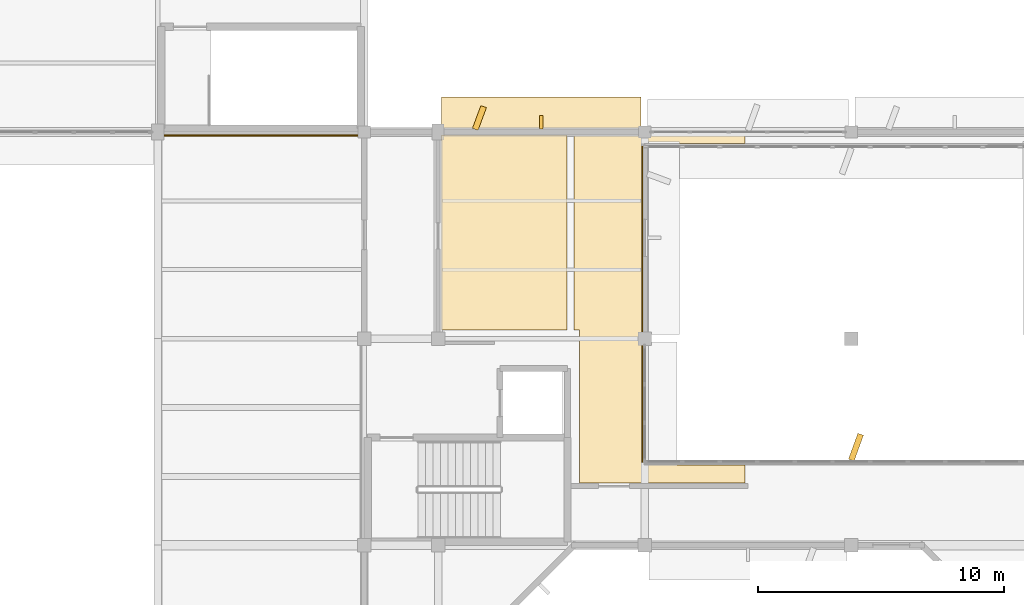
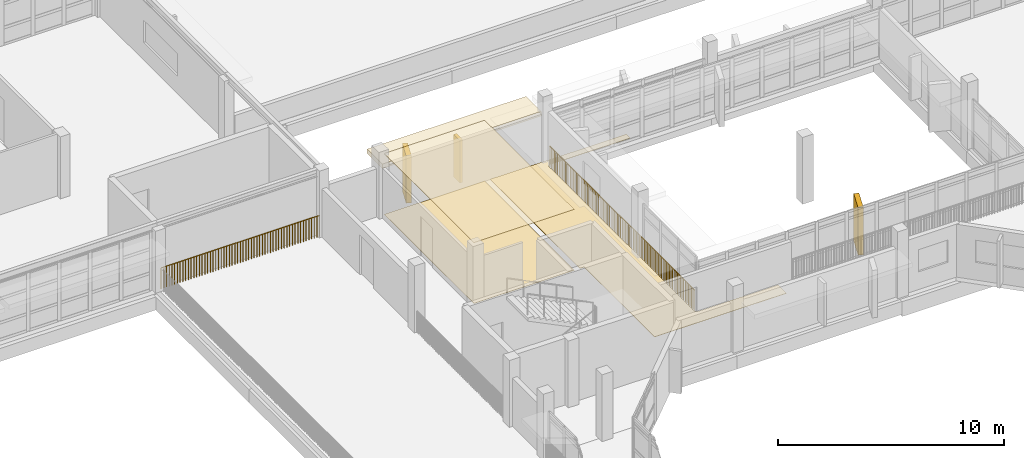
# One storey, part 83 of 92: 6 coverings, 2 railings, 1 shading device.
"""IFC4 building model written with IfcOpenShell, lengths in metres."""

from ifc_helpers import new_model, si_unit, direction, frame, origin, origin_2d, place, context, subcontext, project, spatial, polyline, rectangle, circle, outline, extrude, material, layer, layer_set, type_object, element, save


model = new_model("IFC4")

# Units and contexts
model_context = context("Model", 3, precision=1e-05, world=origin(), true_north=direction((0.0, 1.0)))
body_context = subcontext(model_context, "Body", "Model", "MODEL_VIEW")
ifc_project = project(units=[si_unit("LENGTHUNIT", "METRE"), si_unit("AREAUNIT", "SQUARE_METRE"), si_unit("VOLUMEUNIT", "CUBIC_METRE"), si_unit("PLANEANGLEUNIT", "RADIAN"), si_unit("MASSUNIT", "GRAM", prefix="KILO")], contexts=[model_context])

# Site, building, storey
site_placement = place(None, origin())
site = spatial("IfcSite", under=ifc_project, at=site_placement, CompositionType="ELEMENT")
building_placement = place(site_placement, origin())
building = spatial("IfcBuilding", under=site, at=building_placement, Name="Vanh Quang Courtyard School", CompositionType="ELEMENT")
storey_placement = place(building_placement, frame((0.0, 0.0, 7.800048828125)))
storey = spatial("IfcBuildingStorey", under=building, at=storey_placement, Name="L02", CompositionType="ELEMENT", Elevation=7.800048828125)

# Coverings
ifc_material_1 = material(Name="Perforated mineral-fibre acoustic ceiling board")
ifc_layer_1 = layer(ifc_material_1, 0.02490234375)
ifc_layer_set_1 = layer_set([ifc_layer_1], Name="Perforated mineral-fibre acoustic ceiling board")
covering_type_1 = type_object("IfcCoveringType", Name="COV-CEIL-ACOUSTIC", PredefinedType="CEILING", material=ifc_layer_set_1)
covering_1_placement = place(storey_placement, frame((0.0, 0.0, 3.27490234375)))
element("IfcCovering", 1, at=covering_1_placement, inside=storey, type_object=covering_type_1, Name="Covering CV-CL1 (L02)", PredefinedType="CEILING", context=body_context, shape_type="SweptSolid", body=[
    extrude(outline(polyline([(40.929931640625, 88.06005859375), (40.929931640625, 88.06103515625), (40.93017578125, 88.06201171875), (40.930419921875, 88.06298828125), (40.930908203125, 88.063720703125), (40.93115234375, 88.064697265625), (40.931640625, 88.065673828125), (40.932373046875, 88.06640625), (40.932861328125, 88.067138671875), (40.93359375, 88.067626953125), (40.934326171875, 88.068359375), (40.935302734375, 88.06884765625), (40.936279296875, 88.069091796875), (40.93701171875, 88.069580078125), (40.93798828125, 88.06982421875), (40.93896484375, 88.070068359375), (40.93994140625, 88.070068359375), (46.0400390625, 88.070068359375), (46.041015625, 88.070068359375), (46.0419921875, 88.06982421875), (46.04296875, 88.069580078125), (46.043701171875, 88.069091796875), (46.044677734375, 88.06884765625), (46.045654296875, 88.068359375), (46.04638671875, 88.067626953125), (46.047119140625, 88.067138671875), (46.047607421875, 88.06640625), (46.04833984375, 88.065673828125), (46.048828125, 88.064697265625), (46.04931640625, 88.063720703125), (46.049560546875, 88.06298828125), (46.0498046875, 88.06201171875), (46.050048828125, 88.06103515625), (46.050048828125, 88.06005859375), (46.050048828125, 80.14990234375), (40.929931640625, 80.14990234375), (40.929931640625, 88.06005859375)])), origin(), (0.0, 0.0, 1.0), 0.025146484375),
])
ifc_material_2 = material(Name="Polished cementitious terrazzo tile", Category="concrete")
ifc_layer_2 = layer(ifc_material_2, 0.02001953125)
ifc_layer_set_2 = layer_set([ifc_layer_2], Name="Polished cementitious terrazzo tile")
covering_type_2 = type_object("IfcCoveringType", Name="COV-FLR-TERRAZZO", PredefinedType="FLOORING", material=ifc_layer_set_2)
covering_2_placement = place(storey_placement, origin())
element("IfcCovering", 2, at=covering_2_placement, inside=storey, type_object=covering_type_2, Name="Covering CV-FL1 (L02)", PredefinedType="FLOORING", context=body_context, shape_type="SweptSolid", body=[
    extrude(outline(polyline([(53.27001953125, 87.739990234375), (53.27001953125, 87.739013671875), (53.269775390625, 87.738037109375), (53.26953125, 87.737060546875), (53.269287109375, 87.736083984375), (53.268798828125, 87.7353515625), (53.268310546875, 87.734375), (53.267578125, 87.733642578125), (53.26708984375, 87.73291015625), (53.266357421875, 87.732421875), (53.265625, 87.731689453125), (53.2646484375, 87.731201171875), (53.263916015625, 87.730712890625), (53.262939453125, 87.73046875), (53.261962890625, 87.730224609375), (53.260986328125, 87.72998046875), (53.260009765625, 87.72998046875), (49.200927734375, 87.72998046875), (49.150390625, 87.719970703125), (49.108154296875, 87.69189453125), (49.080078125, 87.649658203125), (49.070068359375, 87.59912109375), (49.070068359375, 74.80078125), (49.07568359375, 74.7626953125), (49.099853515625, 74.71728515625), (49.127685546875, 74.69189453125), (49.162353515625, 74.67578125), (49.20068359375, 74.669921875), (53.260009765625, 74.669921875), (53.260986328125, 74.669921875), (53.261962890625, 74.669921875), (53.262939453125, 74.669677734375), (53.263916015625, 74.669189453125), (53.2646484375, 74.668701171875), (53.265625, 74.668212890625), (53.266357421875, 74.667724609375), (53.26708984375, 74.6669921875), (53.267578125, 74.666259765625), (53.268310546875, 74.66552734375), (53.268798828125, 74.664794921875), (53.269287109375, 74.663818359375), (53.26953125, 74.662841796875), (53.269775390625, 74.662109375), (53.27001953125, 74.660888671875), (53.27001953125, 74.659912109375), (53.27001953125, 73.93994140625), (53.27001953125, 73.93896484375), (53.269775390625, 73.93798828125), (53.26953125, 73.93701171875), (53.269287109375, 73.936279296875), (53.268798828125, 73.935302734375), (53.268310546875, 73.934326171875), (53.267578125, 73.93359375), (53.26708984375, 73.932861328125), (53.266357421875, 73.932373046875), (53.265625, 73.931640625), (53.2646484375, 73.93115234375), (53.263916015625, 73.930908203125), (53.262939453125, 73.930419921875), (53.261962890625, 73.93017578125), (53.260986328125, 73.929931640625), (53.260009765625, 73.929931640625), (46.550048828125, 73.929931640625), (46.550048828125, 80.14990234375), (46.330078125, 80.14990234375), (46.330078125, 88.06005859375), (46.330078125, 88.06103515625), (46.330078125, 88.06201171875), (46.330322265625, 88.06298828125), (46.330810546875, 88.063720703125), (46.331298828125, 88.064697265625), (46.331787109375, 88.065673828125), (46.332275390625, 88.06640625), (46.3330078125, 88.067138671875), (46.333740234375, 88.067626953125), (46.33447265625, 88.068359375), (46.335205078125, 88.06884765625), (46.336181640625, 88.069091796875), (46.337158203125, 88.069580078125), (46.337890625, 88.06982421875), (46.339111328125, 88.070068359375), (46.340087890625, 88.070068359375), (53.260009765625, 88.070068359375), (53.260986328125, 88.070068359375), (53.261962890625, 88.06982421875), (53.262939453125, 88.069580078125), (53.263916015625, 88.069091796875), (53.2646484375, 88.06884765625), (53.265625, 88.068359375), (53.266357421875, 88.067626953125), (53.26708984375, 88.067138671875), (53.267578125, 88.06640625), (53.268310546875, 88.065673828125), (53.268798828125, 88.064697265625), (53.269287109375, 88.063720703125), (53.26953125, 88.06298828125), (53.269775390625, 88.06201171875), (53.27001953125, 88.06103515625), (53.27001953125, 88.06005859375), (53.27001953125, 87.739990234375)])), origin(), (0.0, 0.0, 1.0), 0.02001953125),
])
covering_3_placement = place(storey_placement, origin())
element("IfcCovering", 3, at=covering_3_placement, inside=storey, type_object=covering_type_2, Name="Covering CV-FL1 (L02)", PredefinedType="FLOORING", context=body_context, shape_type="SweptSolid", body=[
    extrude(outline(polyline([(40.929931640625, 88.06005859375), (40.929931640625, 88.06103515625), (40.93017578125, 88.06201171875), (40.930419921875, 88.06298828125), (40.930908203125, 88.063720703125), (40.93115234375, 88.064697265625), (40.931640625, 88.065673828125), (40.932373046875, 88.06640625), (40.932861328125, 88.067138671875), (40.93359375, 88.067626953125), (40.934326171875, 88.068359375), (40.935302734375, 88.06884765625), (40.936279296875, 88.069091796875), (40.93701171875, 88.069580078125), (40.93798828125, 88.06982421875), (40.93896484375, 88.070068359375), (40.93994140625, 88.070068359375), (46.0400390625, 88.070068359375), (46.041015625, 88.070068359375), (46.0419921875, 88.06982421875), (46.04296875, 88.069580078125), (46.043701171875, 88.069091796875), (46.044677734375, 88.06884765625), (46.045654296875, 88.068359375), (46.04638671875, 88.067626953125), (46.047119140625, 88.067138671875), (46.047607421875, 88.06640625), (46.04833984375, 88.065673828125), (46.048828125, 88.064697265625), (46.04931640625, 88.063720703125), (46.049560546875, 88.06298828125), (46.0498046875, 88.06201171875), (46.050048828125, 88.06103515625), (46.050048828125, 88.06005859375), (46.050048828125, 80.14990234375), (40.929931640625, 80.14990234375), (40.929931640625, 88.06005859375)])), origin(), (0.0, 0.0, 1.0), 0.02001953125),
])
ifc_material_3 = material(Name="Board-marked precast concrete C40/50", Category="concrete")
ifc_layer_3 = layer(ifc_material_3, 0.239990234375)
ifc_layer_set_3 = layer_set([ifc_layer_3], Name="Board-marked precast concrete C40/50")
covering_type_3 = type_object("IfcCoveringType", Name="COV-HOOD-CONC", PredefinedType="CLADDING", material=ifc_layer_set_3)
covering_4_placement = place(storey_placement, frame((45.0, 88.93994140625, 2.35986328125), z_axis=(0.0, 0.0, 1.0), x_axis=(1.0, 0.0, 0.0)))
element("IfcCovering", 4, at=covering_4_placement, inside=storey, type_object=covering_type_3, Name="Covering CH-01 (L02)", PredefinedType="CLADDING", context=body_context, shape_type="SweptSolid", body=[
    extrude(rectangle(XDim=8.10400390625, YDim=1.35009765625, at=origin_2d()), origin(), (0.0, 0.0, 1.0), 0.239990234375),
])
covering_5_placement = place(storey_placement, frame((42.482666015625, 88.77001953125, 0.0), z_axis=(0.0, 0.0, 1.0), x_axis=(0.346608245445, 0.938009980858, 0.0)))
element("IfcCovering", 5, at=covering_5_placement, inside=storey, type_object=covering_type_3, Name="Covering CH-01 (L02)", PredefinedType="CLADDING", context=body_context, shape_type="SweptSolid", body=[
    extrude(rectangle(XDim=0.980712890625, YDim=0.239990234375, at=origin_2d()), origin(), (0.0, 0.0, 1.0), 2.56005859375),
])
covering_6_placement = place(storey_placement, frame((57.7900390625, 75.385009765625, 0.0), z_axis=(0.0, 0.0, 1.0), x_axis=(0.340379550213, 0.94028812701, 0.0)))
element("IfcCovering", 6, at=covering_6_placement, inside=storey, type_object=covering_type_3, Name="Covering CH-01 (L02)", PredefinedType="CLADDING", context=body_context, shape_type="SweptSolid", body=[
    extrude(rectangle(XDim=1.11669921875, YDim=0.239990234375, at=origin_2d()), origin(), (0.0, 0.0, 1.0), 2.56005859375),
])

# Railings
ifc_material_4 = material(Name="Galvanised painted steel EN 10025-2 S355J2", Category="steel")
railing_type = type_object("IfcRailingType", Name="RAIL-GUARD-1150", PredefinedType="BALUSTRADE", material=ifc_material_4)
railing_1_placement = place(storey_placement, frame((29.5400390625, 88.06005859375, 0.0)))
element("IfcRailing", 7, at=railing_1_placement, inside=storey, type_object=railing_type, Name="Railing GR-01 (L02)", PredefinedType="BALUSTRADE", context=body_context, shape_type="SweptSolid", body=[
    extrude(circle(Radius=0.02392578125, at=origin_2d()), frame((0.0, 0.0, 1.1259765625), z_axis=(1.0, 0.0, 0.0), x_axis=(0.0, 1.0, 0.0)), (0.0, 0.0, 1.0), 8.091796875),
    extrude(circle(Radius=0.02099609375, at=origin_2d()), origin(), (0.0, 0.0, 1.0), 1.101806640625),
    extrude(circle(Radius=0.02099609375, at=origin_2d()), frame((0.139404296875, 0.0, 0.0)), (0.0, 0.0, 1.0), 1.101806640625),
    extrude(circle(Radius=0.02099609375, at=origin_2d()), frame((0.279052734375, 0.0, 0.0)), (0.0, 0.0, 1.0), 1.101806640625),
    extrude(circle(Radius=0.02099609375, at=origin_2d()), frame((0.41845703125, 0.0, 0.0)), (0.0, 0.0, 1.0), 1.101806640625),
    extrude(circle(Radius=0.02099609375, at=origin_2d()), frame((0.55810546875, 0.0, 0.0)), (0.0, 0.0, 1.0), 1.101806640625),
    extrude(circle(Radius=0.02099609375, at=origin_2d()), frame((0.697509765625, 0.0, 0.0)), (0.0, 0.0, 1.0), 1.101806640625),
    extrude(circle(Radius=0.02099609375, at=origin_2d()), frame((0.837158203125, 0.0, 0.0)), (0.0, 0.0, 1.0), 1.101806640625),
    extrude(circle(Radius=0.02099609375, at=origin_2d()), frame((0.9765625, 0.0, 0.0)), (0.0, 0.0, 1.0), 1.101806640625),
    extrude(circle(Radius=0.02099609375, at=origin_2d()), frame((1.1162109375, 0.0, 0.0)), (0.0, 0.0, 1.0), 1.101806640625),
    extrude(circle(Radius=0.02099609375, at=origin_2d()), frame((1.255615234375, 0.0, 0.0)), (0.0, 0.0, 1.0), 1.101806640625),
    extrude(circle(Radius=0.02099609375, at=origin_2d()), frame((1.39501953125, 0.0, 0.0)), (0.0, 0.0, 1.0), 1.101806640625),
    extrude(circle(Radius=0.02099609375, at=origin_2d()), frame((1.53466796875, 0.0, 0.0)), (0.0, 0.0, 1.0), 1.101806640625),
    extrude(circle(Radius=0.02099609375, at=origin_2d()), frame((1.674072265625, 0.0, 0.0)), (0.0, 0.0, 1.0), 1.101806640625),
    extrude(circle(Radius=0.02099609375, at=origin_2d()), frame((1.813720703125, 0.0, 0.0)), (0.0, 0.0, 1.0), 1.101806640625),
    extrude(circle(Radius=0.02099609375, at=origin_2d()), frame((1.953125, 0.0, 0.0)), (0.0, 0.0, 1.0), 1.101806640625),
    extrude(circle(Radius=0.02099609375, at=origin_2d()), frame((2.0927734375, 0.0, 0.0)), (0.0, 0.0, 1.0), 1.101806640625),
    extrude(circle(Radius=0.02099609375, at=origin_2d()), frame((2.232177734375, 0.0, 0.0)), (0.0, 0.0, 1.0), 1.101806640625),
    extrude(circle(Radius=0.02099609375, at=origin_2d()), frame((2.371826171875, 0.0, 0.0)), (0.0, 0.0, 1.0), 1.101806640625),
    extrude(circle(Radius=0.02099609375, at=origin_2d()), frame((2.51123046875, 0.0, 0.0)), (0.0, 0.0, 1.0), 1.101806640625),
    extrude(circle(Radius=0.02099609375, at=origin_2d()), frame((2.65087890625, 0.0, 0.0)), (0.0, 0.0, 1.0), 1.101806640625),
    extrude(circle(Radius=0.02099609375, at=origin_2d()), frame((2.790283203125, 0.0, 0.0)), (0.0, 0.0, 1.0), 1.101806640625),
    extrude(circle(Radius=0.02099609375, at=origin_2d()), frame((2.9296875, 0.0, 0.0)), (0.0, 0.0, 1.0), 1.101806640625),
    extrude(circle(Radius=0.02099609375, at=origin_2d()), frame((3.0693359375, 0.0, 0.0)), (0.0, 0.0, 1.0), 1.101806640625),
    extrude(circle(Radius=0.02099609375, at=origin_2d()), frame((3.208740234375, 0.0, 0.0)), (0.0, 0.0, 1.0), 1.101806640625),
    extrude(circle(Radius=0.02099609375, at=origin_2d()), frame((3.348388671875, 0.0, 0.0)), (0.0, 0.0, 1.0), 1.101806640625),
    extrude(circle(Radius=0.02099609375, at=origin_2d()), frame((3.48779296875, 0.0, 0.0)), (0.0, 0.0, 1.0), 1.101806640625),
    extrude(circle(Radius=0.02099609375, at=origin_2d()), frame((3.62744140625, 0.0, 0.0)), (0.0, 0.0, 1.0), 1.101806640625),
    extrude(circle(Radius=0.02099609375, at=origin_2d()), frame((3.766845703125, 0.0, 0.0)), (0.0, 0.0, 1.0), 1.101806640625),
    extrude(circle(Radius=0.02099609375, at=origin_2d()), frame((3.906494140625, 0.0, 0.0)), (0.0, 0.0, 1.0), 1.101806640625),
    extrude(circle(Radius=0.02099609375, at=origin_2d()), frame((4.0458984375, 0.0, 0.0)), (0.0, 0.0, 1.0), 1.101806640625),
    extrude(circle(Radius=0.02099609375, at=origin_2d()), frame((4.185302734375, 0.0, 0.0)), (0.0, 0.0, 1.0), 1.101806640625),
    extrude(circle(Radius=0.02099609375, at=origin_2d()), frame((4.324951171875, 0.0, 0.0)), (0.0, 0.0, 1.0), 1.101806640625),
    extrude(circle(Radius=0.02099609375, at=origin_2d()), frame((4.46435546875, 0.0, 0.0)), (0.0, 0.0, 1.0), 1.101806640625),
    extrude(circle(Radius=0.02099609375, at=origin_2d()), frame((4.60400390625, 0.0, 0.0)), (0.0, 0.0, 1.0), 1.101806640625),
    extrude(circle(Radius=0.02099609375, at=origin_2d()), frame((4.743408203125, 0.0, 0.0)), (0.0, 0.0, 1.0), 1.101806640625),
    extrude(circle(Radius=0.02099609375, at=origin_2d()), frame((4.883056640625, 0.0, 0.0)), (0.0, 0.0, 1.0), 1.101806640625),
    extrude(circle(Radius=0.02099609375, at=origin_2d()), frame((5.0224609375, 0.0, 0.0)), (0.0, 0.0, 1.0), 1.101806640625),
    extrude(circle(Radius=0.02099609375, at=origin_2d()), frame((5.162109375, 0.0, 0.0)), (0.0, 0.0, 1.0), 1.101806640625),
    extrude(circle(Radius=0.02099609375, at=origin_2d()), frame((5.301513671875, 0.0, 0.0)), (0.0, 0.0, 1.0), 1.101806640625),
    extrude(circle(Radius=0.02099609375, at=origin_2d()), frame((5.44091796875, 0.0, 0.0)), (0.0, 0.0, 1.0), 1.101806640625),
    extrude(circle(Radius=0.02099609375, at=origin_2d()), frame((5.58056640625, 0.0, 0.0)), (0.0, 0.0, 1.0), 1.101806640625),
    extrude(circle(Radius=0.02099609375, at=origin_2d()), frame((5.719970703125, 0.0, 0.0)), (0.0, 0.0, 1.0), 1.101806640625),
    extrude(circle(Radius=0.02099609375, at=origin_2d()), frame((5.859619140625, 0.0, 0.0)), (0.0, 0.0, 1.0), 1.101806640625),
    extrude(circle(Radius=0.02099609375, at=origin_2d()), frame((5.9990234375, 0.0, 0.0)), (0.0, 0.0, 1.0), 1.101806640625),
    extrude(circle(Radius=0.02099609375, at=origin_2d()), frame((6.138671875, 0.0, 0.0)), (0.0, 0.0, 1.0), 1.101806640625),
    extrude(circle(Radius=0.02099609375, at=origin_2d()), frame((6.278076171875, 0.0, 0.0)), (0.0, 0.0, 1.0), 1.101806640625),
    extrude(circle(Radius=0.02099609375, at=origin_2d()), frame((6.417724609375, 0.0, 0.0)), (0.0, 0.0, 1.0), 1.101806640625),
    extrude(circle(Radius=0.02099609375, at=origin_2d()), frame((6.55712890625, 0.0, 0.0)), (0.0, 0.0, 1.0), 1.101806640625),
    extrude(circle(Radius=0.02099609375, at=origin_2d()), frame((6.69677734375, 0.0, 0.0)), (0.0, 0.0, 1.0), 1.101806640625),
    extrude(circle(Radius=0.02099609375, at=origin_2d()), frame((6.836181640625, 0.0, 0.0)), (0.0, 0.0, 1.0), 1.101806640625),
    extrude(circle(Radius=0.02099609375, at=origin_2d()), frame((6.9755859375, 0.0, 0.0)), (0.0, 0.0, 1.0), 1.101806640625),
    extrude(circle(Radius=0.02099609375, at=origin_2d()), frame((7.115234375, 0.0, 0.0)), (0.0, 0.0, 1.0), 1.101806640625),
    extrude(circle(Radius=0.02099609375, at=origin_2d()), frame((7.254638671875, 0.0, 0.0)), (0.0, 0.0, 1.0), 1.101806640625),
    extrude(circle(Radius=0.02099609375, at=origin_2d()), frame((7.394287109375, 0.0, 0.0)), (0.0, 0.0, 1.0), 1.101806640625),
    extrude(circle(Radius=0.02099609375, at=origin_2d()), frame((7.53369140625, 0.0, 0.0)), (0.0, 0.0, 1.0), 1.101806640625),
    extrude(circle(Radius=0.02099609375, at=origin_2d()), frame((7.67333984375, 0.0, 0.0)), (0.0, 0.0, 1.0), 1.101806640625),
    extrude(circle(Radius=0.02099609375, at=origin_2d()), frame((7.812744140625, 0.0, 0.0)), (0.0, 0.0, 1.0), 1.101806640625),
    extrude(circle(Radius=0.02099609375, at=origin_2d()), frame((7.952392578125, 0.0, 0.0)), (0.0, 0.0, 1.0), 1.101806640625),
    extrude(circle(Radius=0.02099609375, at=origin_2d()), frame((8.091796875, 0.0, 0.0)), (0.0, 0.0, 1.0), 1.101806640625),
])
railing_2_placement = place(storey_placement, frame((49.10009765625, 87.60009765625, 0.0)))
element("IfcRailing", 8, at=railing_2_placement, inside=storey, type_object=railing_type, Name="Railing GR-01 (L02)", PredefinedType="BALUSTRADE", context=body_context, shape_type="SweptSolid", body=[
    extrude(circle(Radius=0.02392578125, at=origin_2d()), frame((0.0, 0.0, 1.1259765625), z_axis=(0.0, -1.0, 0.0), x_axis=(1.0, 0.0, 0.0)), (0.0, 0.0, 1.0), 12.800048828125),
    extrude(circle(Radius=0.02099609375, at=origin_2d()), origin(), (0.0, 0.0, 1.0), 1.101806640625),
    extrude(circle(Radius=0.02099609375, at=origin_2d()), frame((0.0, -0.13916015625, 0.0)), (0.0, 0.0, 1.0), 1.101806640625),
    extrude(circle(Radius=0.02099609375, at=origin_2d()), frame((0.0, -0.2783203125, 0.0)), (0.0, 0.0, 1.0), 1.101806640625),
    extrude(circle(Radius=0.02099609375, at=origin_2d()), frame((0.0, -0.41748046875, 0.0)), (0.0, 0.0, 1.0), 1.101806640625),
    extrude(circle(Radius=0.02099609375, at=origin_2d()), frame((0.0, -0.556640625, 0.0)), (0.0, 0.0, 1.0), 1.101806640625),
    extrude(circle(Radius=0.02099609375, at=origin_2d()), frame((0.0, -0.695556640625, 0.0)), (0.0, 0.0, 1.0), 1.101806640625),
    extrude(circle(Radius=0.02099609375, at=origin_2d()), frame((0.0, -0.834716796875, 0.0)), (0.0, 0.0, 1.0), 1.101806640625),
    extrude(circle(Radius=0.02099609375, at=origin_2d()), frame((0.0, -0.973876953125, 0.0)), (0.0, 0.0, 1.0), 1.101806640625),
    extrude(circle(Radius=0.02099609375, at=origin_2d()), frame((0.0, -1.113037109375, 0.0)), (0.0, 0.0, 1.0), 1.101806640625),
    extrude(circle(Radius=0.02099609375, at=origin_2d()), frame((0.0, -1.252197265625, 0.0)), (0.0, 0.0, 1.0), 1.101806640625),
    extrude(circle(Radius=0.02099609375, at=origin_2d()), frame((0.0, -1.391357421875, 0.0)), (0.0, 0.0, 1.0), 1.101806640625),
    extrude(circle(Radius=0.02099609375, at=origin_2d()), frame((0.0, -1.530517578125, 0.0)), (0.0, 0.0, 1.0), 1.101806640625),
    extrude(circle(Radius=0.02099609375, at=origin_2d()), frame((0.0, -1.669677734375, 0.0)), (0.0, 0.0, 1.0), 1.101806640625),
    extrude(circle(Radius=0.02099609375, at=origin_2d()), frame((0.0, -1.80859375, 0.0)), (0.0, 0.0, 1.0), 1.101806640625),
    extrude(circle(Radius=0.02099609375, at=origin_2d()), frame((0.0, -1.94775390625, 0.0)), (0.0, 0.0, 1.0), 1.101806640625),
    extrude(circle(Radius=0.02099609375, at=origin_2d()), frame((0.0, -2.0869140625, 0.0)), (0.0, 0.0, 1.0), 1.101806640625),
    extrude(circle(Radius=0.02099609375, at=origin_2d()), frame((0.0, -2.22607421875, 0.0)), (0.0, 0.0, 1.0), 1.101806640625),
    extrude(circle(Radius=0.02099609375, at=origin_2d()), frame((0.0, -2.365234375, 0.0)), (0.0, 0.0, 1.0), 1.101806640625),
    extrude(circle(Radius=0.02099609375, at=origin_2d()), frame((0.0, -2.50439453125, 0.0)), (0.0, 0.0, 1.0), 1.101806640625),
    extrude(circle(Radius=0.02099609375, at=origin_2d()), frame((0.0, -2.6435546875, 0.0)), (0.0, 0.0, 1.0), 1.101806640625),
    extrude(circle(Radius=0.02099609375, at=origin_2d()), frame((0.0, -2.78271484375, 0.0)), (0.0, 0.0, 1.0), 1.101806640625),
    extrude(circle(Radius=0.02099609375, at=origin_2d()), frame((0.0, -2.921630859375, 0.0)), (0.0, 0.0, 1.0), 1.101806640625),
    extrude(circle(Radius=0.02099609375, at=origin_2d()), frame((0.0, -3.060791015625, 0.0)), (0.0, 0.0, 1.0), 1.101806640625),
    extrude(circle(Radius=0.02099609375, at=origin_2d()), frame((0.0, -3.199951171875, 0.0)), (0.0, 0.0, 1.0), 1.101806640625),
    extrude(circle(Radius=0.02099609375, at=origin_2d()), frame((0.0, -3.339111328125, 0.0)), (0.0, 0.0, 1.0), 1.101806640625),
    extrude(circle(Radius=0.02099609375, at=origin_2d()), frame((0.0, -3.478271484375, 0.0)), (0.0, 0.0, 1.0), 1.101806640625),
    extrude(circle(Radius=0.02099609375, at=origin_2d()), frame((0.0, -3.617431640625, 0.0)), (0.0, 0.0, 1.0), 1.101806640625),
    extrude(circle(Radius=0.02099609375, at=origin_2d()), frame((0.0, -3.756591796875, 0.0)), (0.0, 0.0, 1.0), 1.101806640625),
    extrude(circle(Radius=0.02099609375, at=origin_2d()), frame((0.0, -3.895751953125, 0.0)), (0.0, 0.0, 1.0), 1.101806640625),
    extrude(circle(Radius=0.02099609375, at=origin_2d()), frame((0.0, -4.034912109375, 0.0)), (0.0, 0.0, 1.0), 1.101806640625),
    extrude(circle(Radius=0.02099609375, at=origin_2d()), frame((0.0, -4.173828125, 0.0)), (0.0, 0.0, 1.0), 1.101806640625),
    extrude(circle(Radius=0.02099609375, at=origin_2d()), frame((0.0, -4.31298828125, 0.0)), (0.0, 0.0, 1.0), 1.101806640625),
    extrude(circle(Radius=0.02099609375, at=origin_2d()), frame((0.0, -4.4521484375, 0.0)), (0.0, 0.0, 1.0), 1.101806640625),
    extrude(circle(Radius=0.02099609375, at=origin_2d()), frame((0.0, -4.59130859375, 0.0)), (0.0, 0.0, 1.0), 1.101806640625),
    extrude(circle(Radius=0.02099609375, at=origin_2d()), frame((0.0, -4.73046875, 0.0)), (0.0, 0.0, 1.0), 1.101806640625),
    extrude(circle(Radius=0.02099609375, at=origin_2d()), frame((0.0, -4.86962890625, 0.0)), (0.0, 0.0, 1.0), 1.101806640625),
    extrude(circle(Radius=0.02099609375, at=origin_2d()), frame((0.0, -5.0087890625, 0.0)), (0.0, 0.0, 1.0), 1.101806640625),
    extrude(circle(Radius=0.02099609375, at=origin_2d()), frame((0.0, -5.14794921875, 0.0)), (0.0, 0.0, 1.0), 1.101806640625),
    extrude(circle(Radius=0.02099609375, at=origin_2d()), frame((0.0, -5.286865234375, 0.0)), (0.0, 0.0, 1.0), 1.101806640625),
    extrude(circle(Radius=0.02099609375, at=origin_2d()), frame((0.0, -5.426025390625, 0.0)), (0.0, 0.0, 1.0), 1.101806640625),
    extrude(circle(Radius=0.02099609375, at=origin_2d()), frame((0.0, -5.565185546875, 0.0)), (0.0, 0.0, 1.0), 1.101806640625),
    extrude(circle(Radius=0.02099609375, at=origin_2d()), frame((0.0, -5.704345703125, 0.0)), (0.0, 0.0, 1.0), 1.101806640625),
    extrude(circle(Radius=0.02099609375, at=origin_2d()), frame((0.0, -5.843505859375, 0.0)), (0.0, 0.0, 1.0), 1.101806640625),
    extrude(circle(Radius=0.02099609375, at=origin_2d()), frame((0.0, -5.982666015625, 0.0)), (0.0, 0.0, 1.0), 1.101806640625),
    extrude(circle(Radius=0.02099609375, at=origin_2d()), frame((0.0, -6.121826171875, 0.0)), (0.0, 0.0, 1.0), 1.101806640625),
    extrude(circle(Radius=0.02099609375, at=origin_2d()), frame((0.0, -6.260986328125, 0.0)), (0.0, 0.0, 1.0), 1.101806640625),
    extrude(circle(Radius=0.02099609375, at=origin_2d()), frame((0.0, -6.39990234375, 0.0)), (0.0, 0.0, 1.0), 1.101806640625),
    extrude(circle(Radius=0.02099609375, at=origin_2d()), frame((0.0, -6.5390625, 0.0)), (0.0, 0.0, 1.0), 1.101806640625),
    extrude(circle(Radius=0.02099609375, at=origin_2d()), frame((0.0, -6.67822265625, 0.0)), (0.0, 0.0, 1.0), 1.101806640625),
    extrude(circle(Radius=0.02099609375, at=origin_2d()), frame((0.0, -6.8173828125, 0.0)), (0.0, 0.0, 1.0), 1.101806640625),
    extrude(circle(Radius=0.02099609375, at=origin_2d()), frame((0.0, -6.95654296875, 0.0)), (0.0, 0.0, 1.0), 1.101806640625),
    extrude(circle(Radius=0.02099609375, at=origin_2d()), frame((0.0, -7.095703125, 0.0)), (0.0, 0.0, 1.0), 1.101806640625),
    extrude(circle(Radius=0.02099609375, at=origin_2d()), frame((0.0, -7.23486328125, 0.0)), (0.0, 0.0, 1.0), 1.101806640625),
    extrude(circle(Radius=0.02099609375, at=origin_2d()), frame((0.0, -7.3740234375, 0.0)), (0.0, 0.0, 1.0), 1.101806640625),
    extrude(circle(Radius=0.02099609375, at=origin_2d()), frame((0.0, -7.51318359375, 0.0)), (0.0, 0.0, 1.0), 1.101806640625),
    extrude(circle(Radius=0.02099609375, at=origin_2d()), frame((0.0, -7.652099609375, 0.0)), (0.0, 0.0, 1.0), 1.101806640625),
    extrude(circle(Radius=0.02099609375, at=origin_2d()), frame((0.0, -7.791259765625, 0.0)), (0.0, 0.0, 1.0), 1.101806640625),
    extrude(circle(Radius=0.02099609375, at=origin_2d()), frame((0.0, -7.930419921875, 0.0)), (0.0, 0.0, 1.0), 1.101806640625),
    extrude(circle(Radius=0.02099609375, at=origin_2d()), frame((0.0, -8.069580078125, 0.0)), (0.0, 0.0, 1.0), 1.101806640625),
    extrude(circle(Radius=0.02099609375, at=origin_2d()), frame((0.0, -8.208740234375, 0.0)), (0.0, 0.0, 1.0), 1.101806640625),
    extrude(circle(Radius=0.02099609375, at=origin_2d()), frame((0.0, -8.347900390625, 0.0)), (0.0, 0.0, 1.0), 1.101806640625),
    extrude(circle(Radius=0.02099609375, at=origin_2d()), frame((0.0, -8.487060546875, 0.0)), (0.0, 0.0, 1.0), 1.101806640625),
    extrude(circle(Radius=0.02099609375, at=origin_2d()), frame((0.0, -8.626220703125, 0.0)), (0.0, 0.0, 1.0), 1.101806640625),
    extrude(circle(Radius=0.02099609375, at=origin_2d()), frame((0.0, -8.76513671875, 0.0)), (0.0, 0.0, 1.0), 1.101806640625),
    extrude(circle(Radius=0.02099609375, at=origin_2d()), frame((0.0, -8.904296875, 0.0)), (0.0, 0.0, 1.0), 1.101806640625),
    extrude(circle(Radius=0.02099609375, at=origin_2d()), frame((0.0, -9.04345703125, 0.0)), (0.0, 0.0, 1.0), 1.101806640625),
    extrude(circle(Radius=0.02099609375, at=origin_2d()), frame((0.0, -9.1826171875, 0.0)), (0.0, 0.0, 1.0), 1.101806640625),
    extrude(circle(Radius=0.02099609375, at=origin_2d()), frame((0.0, -9.32177734375, 0.0)), (0.0, 0.0, 1.0), 1.101806640625),
    extrude(circle(Radius=0.02099609375, at=origin_2d()), frame((0.0, -9.4609375, 0.0)), (0.0, 0.0, 1.0), 1.101806640625),
    extrude(circle(Radius=0.02099609375, at=origin_2d()), frame((0.0, -9.60009765625, 0.0)), (0.0, 0.0, 1.0), 1.101806640625),
    extrude(circle(Radius=0.02099609375, at=origin_2d()), frame((0.0, -9.7392578125, 0.0)), (0.0, 0.0, 1.0), 1.101806640625),
    extrude(circle(Radius=0.02099609375, at=origin_2d()), frame((0.0, -9.87841796875, 0.0)), (0.0, 0.0, 1.0), 1.101806640625),
    extrude(circle(Radius=0.02099609375, at=origin_2d()), frame((0.0, -10.017333984375, 0.0)), (0.0, 0.0, 1.0), 1.101806640625),
    extrude(circle(Radius=0.02099609375, at=origin_2d()), frame((0.0, -10.156494140625, 0.0)), (0.0, 0.0, 1.0), 1.101806640625),
    extrude(circle(Radius=0.02099609375, at=origin_2d()), frame((0.0, -10.295654296875, 0.0)), (0.0, 0.0, 1.0), 1.101806640625),
    extrude(circle(Radius=0.02099609375, at=origin_2d()), frame((0.0, -10.434814453125, 0.0)), (0.0, 0.0, 1.0), 1.101806640625),
    extrude(circle(Radius=0.02099609375, at=origin_2d()), frame((0.0, -10.573974609375, 0.0)), (0.0, 0.0, 1.0), 1.101806640625),
    extrude(circle(Radius=0.02099609375, at=origin_2d()), frame((0.0, -10.713134765625, 0.0)), (0.0, 0.0, 1.0), 1.101806640625),
    extrude(circle(Radius=0.02099609375, at=origin_2d()), frame((0.0, -10.852294921875, 0.0)), (0.0, 0.0, 1.0), 1.101806640625),
    extrude(circle(Radius=0.02099609375, at=origin_2d()), frame((0.0, -10.991455078125, 0.0)), (0.0, 0.0, 1.0), 1.101806640625),
    extrude(circle(Radius=0.02099609375, at=origin_2d()), frame((0.0, -11.13037109375, 0.0)), (0.0, 0.0, 1.0), 1.101806640625),
    extrude(circle(Radius=0.02099609375, at=origin_2d()), frame((0.0, -11.26953125, 0.0)), (0.0, 0.0, 1.0), 1.101806640625),
    extrude(circle(Radius=0.02099609375, at=origin_2d()), frame((0.0, -11.40869140625, 0.0)), (0.0, 0.0, 1.0), 1.101806640625),
    extrude(circle(Radius=0.02099609375, at=origin_2d()), frame((0.0, -11.5478515625, 0.0)), (0.0, 0.0, 1.0), 1.101806640625),
    extrude(circle(Radius=0.02099609375, at=origin_2d()), frame((0.0, -11.68701171875, 0.0)), (0.0, 0.0, 1.0), 1.101806640625),
    extrude(circle(Radius=0.02099609375, at=origin_2d()), frame((0.0, -11.826171875, 0.0)), (0.0, 0.0, 1.0), 1.101806640625),
    extrude(circle(Radius=0.02099609375, at=origin_2d()), frame((0.0, -11.96533203125, 0.0)), (0.0, 0.0, 1.0), 1.101806640625),
    extrude(circle(Radius=0.02099609375, at=origin_2d()), frame((0.0, -12.1044921875, 0.0)), (0.0, 0.0, 1.0), 1.101806640625),
    extrude(circle(Radius=0.02099609375, at=origin_2d()), frame((0.0, -12.243408203125, 0.0)), (0.0, 0.0, 1.0), 1.101806640625),
    extrude(circle(Radius=0.02099609375, at=origin_2d()), frame((0.0, -12.382568359375, 0.0)), (0.0, 0.0, 1.0), 1.101806640625),
    extrude(circle(Radius=0.02099609375, at=origin_2d()), frame((0.0, -12.521728515625, 0.0)), (0.0, 0.0, 1.0), 1.101806640625),
    extrude(circle(Radius=0.02099609375, at=origin_2d()), frame((0.0, -12.660888671875, 0.0)), (0.0, 0.0, 1.0), 1.101806640625),
    extrude(circle(Radius=0.02099609375, at=origin_2d()), frame((0.0, -12.800048828125, 0.0)), (0.0, 0.0, 1.0), 1.101806640625),
])

# Shading device
shading_device_type = type_object("IfcShadingDeviceType", Name="SHD-FIN-CONCRETE", PredefinedType="USERDEFINED", material=ifc_material_3)
shading_device_placement = place(storey_placement, frame((45.0, 88.594970703125, 0.14990234375), z_axis=(0.0, 0.0, 1.0), x_axis=(1.0, 0.0, 0.0)))
element("IfcShadingDevice", 9, at=shading_device_placement, inside=storey, type_object=shading_device_type, Name="Solar Shading SH-02 (L02)", ObjectType="Solar Shading SH-02 (L02)", PredefinedType="USERDEFINED", context=body_context, shape_type="SweptSolid", body=[
    extrude(rectangle(XDim=0.139892578125, YDim=0.550048828125, at=origin_2d()), origin(), (0.0, 0.0, 1.0), 2.300048828125),
])

save(model, "model.ifc")
